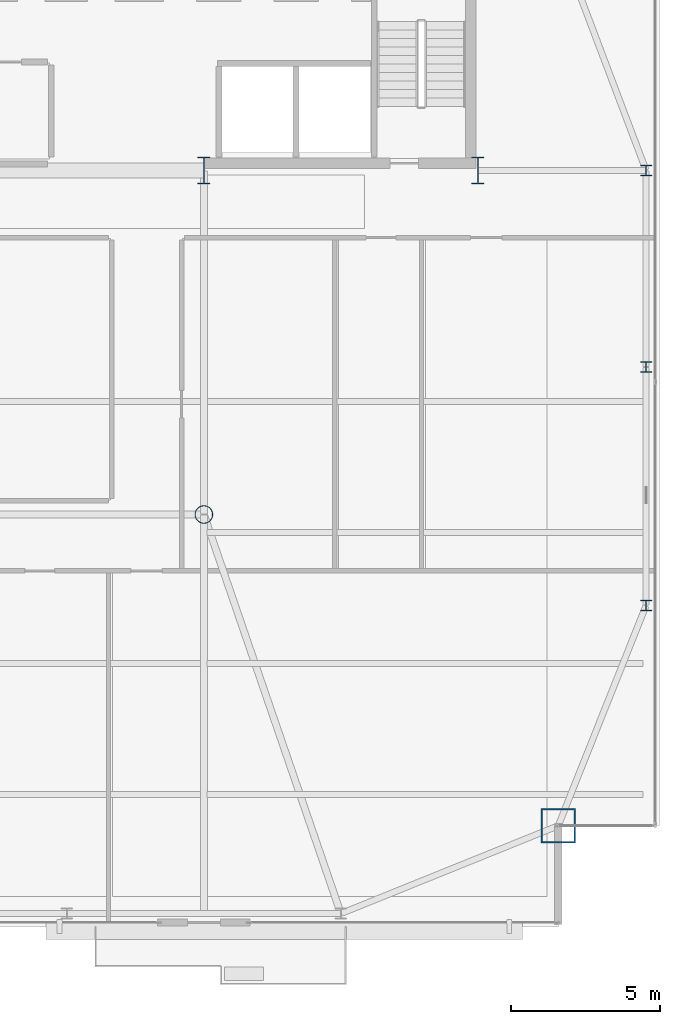
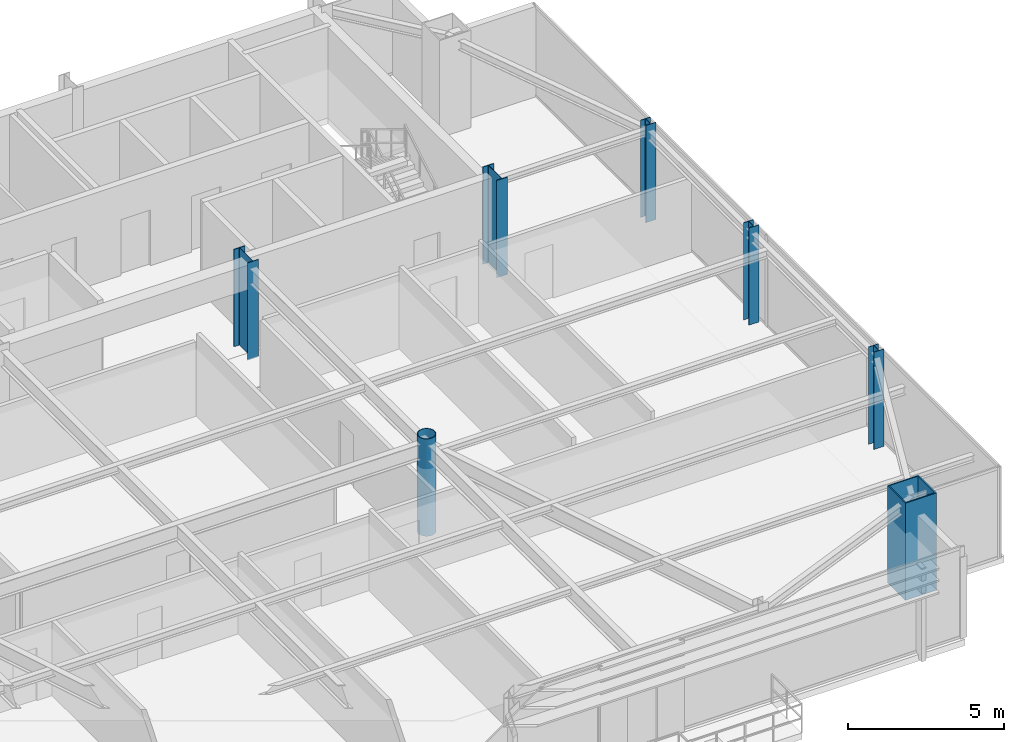
# One storey, part 2 of 30: 7 columns.
"""IFC4 building model written with IfcOpenShell, lengths in metres."""

from ifc_helpers import new_model, si_unit, direction, frame, origin, origin_2d, place, context, subcontext, project, spatial, hollow_rectangle, hollow_circle, i_section, extrude, source, transform, mapped, material, material_profile, profile_set, type_object, type_shapes, element, save


model = new_model("IFC4")

# Units and contexts
model_context = context("Model", 3, precision=1e-05, world=origin(), true_north=direction((0.0, 1.0)))
body_context = subcontext(model_context, "Body", "Model", "MODEL_VIEW")
ifc_project = project(units=[si_unit("LENGTHUNIT", "METRE"), si_unit("AREAUNIT", "SQUARE_METRE"), si_unit("VOLUMEUNIT", "CUBIC_METRE"), si_unit("PLANEANGLEUNIT", "RADIAN"), si_unit("MASSUNIT", "GRAM", prefix="KILO")], contexts=[model_context])

# Site, building, storey
site_placement = place(None, origin())
site = spatial("IfcSite", under=ifc_project, at=site_placement, CompositionType="ELEMENT")
building_placement = place(site_placement, origin())
building = spatial("IfcBuilding", under=site, at=building_placement, Name="Varnel Quay Broadcast Tower", CompositionType="ELEMENT")
storey_placement = place(building_placement, frame((0.0, 0.0, 247.0)))
storey = spatial("IfcBuildingStorey", under=building, at=storey_placement, Name="L61", CompositionType="ELEMENT", Elevation=247.0)

# Columns
ifc_material_1 = material(Name="Structural Steel CSA G40.21 350WT", Category="steel")
ifc_material_profile_1 = material_profile(ifc_material_1, i_section(OverallWidth=0.39990234375, OverallDepth=0.89990234375, WebThickness=0.01611328125, FlangeThickness=0.028076171875, FilletRadius=0.01611328125, at=origin_2d()), Name="WWF900X309")
ifc_profile_set_1 = profile_set([ifc_material_profile_1], Name="Structural Steel CSA G40.21 350WT")
column_type_1 = type_object("IfcColumnType", Name="Col_WWF900X309", PredefinedType="COLUMN", material=ifc_profile_set_1)
shared_shape_1 = source(origin(), body_context, "Body", "SweptSolid", [
    extrude(i_section(OverallWidth=0.39990234375, OverallDepth=0.89990234375, WebThickness=0.01611328125, FlangeThickness=0.028076171875, FilletRadius=0.01611328125, at=origin_2d()), origin(), (0.0, 0.0, 1.0), 3.800048828125),
])
type_shapes(column_type_1, [shared_shape_1])
for number, where, z_axis, x_axis, name in (
    (1, (43.199951171875, 35.60009765625, 0.0), (0.0, 0.0, 1.0), (1.0, 0.0, 0.0), "L61 Column CC-S4"),
    (2, (52.39990234375, 35.60009765625, 0.0), (0.0, 0.0, 1.0), (1.0, 0.0, 0.0), "L61 Column CC-S5"),
):
    element("IfcColumn", number, at=place(storey_placement, frame(where, z_axis=z_axis, x_axis=x_axis)), inside=storey, type_object=column_type_1, Name=name, PredefinedType="COLUMN", context=body_context, shape_type="MappedRepresentation", body=[
        mapped(shared_shape_1, transform((0.0, 0.0, 0.0), x_axis=(1.0, 0.0, 0.0), y_axis=(0.0, 1.0, 0.0), z_axis=(0.0, 0.0, 1.0), scale=1.0)),
    ])
ifc_material_profile_2 = material_profile(ifc_material_1, hollow_rectangle(XDim=1.14990234375, YDim=1.14990234375, WallThickness=0.044921875, at=origin_2d()), Name="BOX1150X1150X45")
ifc_profile_set_2 = profile_set([ifc_material_profile_2], Name="Structural Steel CSA G40.21 350WT")
column_type_2 = type_object("IfcColumnType", Name="Col_BOX1150X1150X45", PredefinedType="COLUMN", material=ifc_profile_set_2)
shared_shape_2 = source(origin(), body_context, "Body", "SweptSolid", [
    extrude(hollow_rectangle(XDim=1.14990234375, YDim=1.14990234375, WallThickness=0.044921875, at=origin_2d()), origin(), (0.0, 0.0, 1.0), 3.800048828125),
])
type_shapes(column_type_2, [shared_shape_2])
column_1_placement = place(storey_placement, frame((55.10009765625, 13.60009765625, 0.0), z_axis=(0.0, 0.0, 1.0), x_axis=(1.0, 0.0, 0.0)))
element("IfcColumn", 3, at=column_1_placement, inside=storey, type_object=column_type_2, Name="L61 Column MC-SE", PredefinedType="COLUMN", context=body_context, shape_type="MappedRepresentation", body=[
    mapped(shared_shape_2, transform((0.0, 0.0, 0.0), x_axis=(1.0, 0.0, 0.0), y_axis=(0.0, 1.0, 0.0), z_axis=(0.0, 0.0, 1.0), scale=1.0)),
])
ifc_material_2 = material(Name="Structural Steel CSA G40.21 350W", Category="steel")
ifc_material_profile_3 = material_profile(ifc_material_2, i_section(OverallWidth=0.368896484375, OverallDepth=0.35595703125, WebThickness=0.01123046875, FlangeThickness=0.01806640625, FilletRadius=0.01611328125, at=origin_2d()), Name="W360X134")
ifc_profile_set_3 = profile_set([ifc_material_profile_3], Name="Structural Steel CSA G40.21 350W")
column_type_3 = type_object("IfcColumnType", Name="Col_W360X134", PredefinedType="COLUMN", material=ifc_profile_set_3)
shared_shape_3 = source(origin(), body_context, "Body", "SweptSolid", [
    extrude(i_section(OverallWidth=0.368896484375, OverallDepth=0.35595703125, WebThickness=0.01123046875, FlangeThickness=0.01806640625, FilletRadius=0.01611328125, at=origin_2d()), origin(), (0.0, 0.0, 1.0), 3.800048828125),
])
type_shapes(column_type_3, [shared_shape_3])
for number, where, z_axis, x_axis, name in (
    (4, (58.050048828125, 21.0, 0.0), (0.0, 0.0, 1.0), (1.0, 0.0, 0.0), "L61 Column TC-E1"),
    (5, (58.050048828125, 29.0, 0.0), (0.0, 0.0, 1.0), (1.0, 0.0, 0.0), "L61 Column TC-E2"),
    (6, (58.050048828125, 35.60009765625, 0.0), (0.0, 0.0, 1.0), (1.0, 0.0, 0.0), "L61 Column TC-E3"),
):
    element("IfcColumn", number, at=place(storey_placement, frame(where, z_axis=z_axis, x_axis=x_axis)), inside=storey, type_object=column_type_3, Name=name, PredefinedType="COLUMN", context=body_context, shape_type="MappedRepresentation", body=[
        mapped(shared_shape_3, transform((0.0, 0.0, 0.0), x_axis=(1.0, 0.0, 0.0), y_axis=(0.0, 1.0, 0.0), z_axis=(0.0, 0.0, 1.0), scale=1.0)),
    ])
ifc_material_profile_4 = material_profile(ifc_material_2, hollow_circle(Radius=0.304931640625, WallThickness=0.02490234375, at=origin_2d()), Name="CHS610X25")
ifc_profile_set_4 = profile_set([ifc_material_profile_4], Name="Structural Steel CSA G40.21 350W")
column_type_4 = type_object("IfcColumnType", Name="Col_CHS610X25", PredefinedType="COLUMN", material=ifc_profile_set_4)
shared_shape_4 = source(origin(), body_context, "Body", "SweptSolid", [
    extrude(hollow_circle(Radius=0.304931640625, WallThickness=0.02490234375, at=origin_2d()), origin(), (0.0, 0.0, 1.0), 3.800048828125),
])
type_shapes(column_type_4, [shared_shape_4])
column_2_placement = place(storey_placement, frame((43.199951171875, 24.050048828125, 0.0), z_axis=(0.0, 0.0, 1.0), x_axis=(1.0, 0.0, 0.0)))
element("IfcColumn", 7, at=column_2_placement, inside=storey, type_object=column_type_4, Name="L61 Column IC-02", PredefinedType="COLUMN", context=body_context, shape_type="MappedRepresentation", body=[
    mapped(shared_shape_4, transform((0.0, 0.0, 0.0), x_axis=(1.0, 0.0, 0.0), y_axis=(0.0, 1.0, 0.0), z_axis=(0.0, 0.0, 1.0), scale=1.0)),
])

save(model, "model.ifc")
